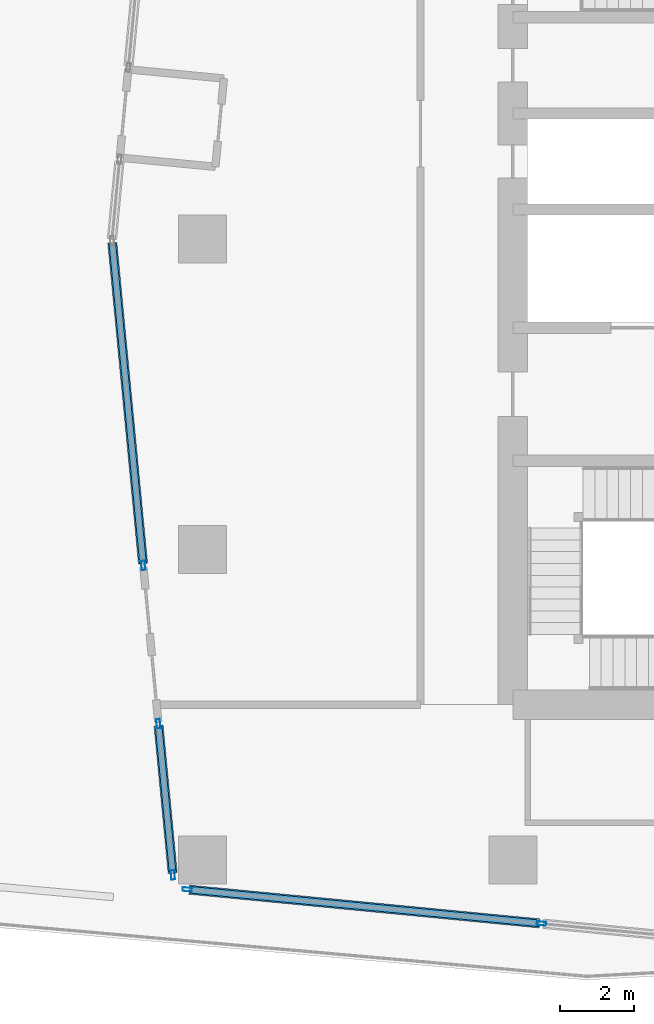
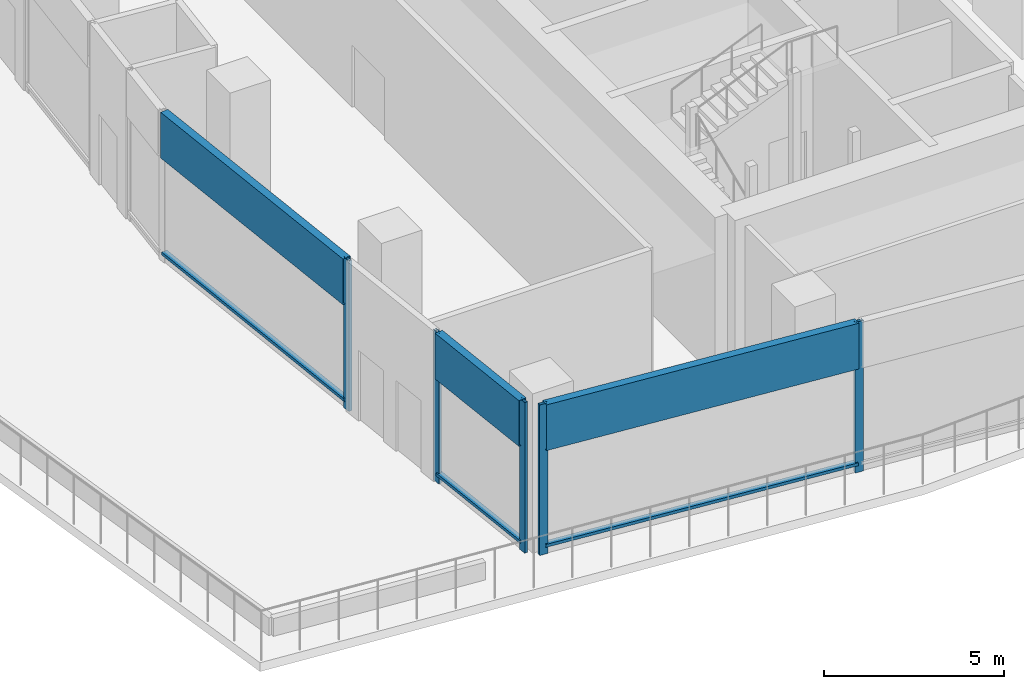
# One storey, part 2 of 22: 11 members, 3 elements without a shape of their own.
"""IFC4 building model written with IfcOpenShell, lengths in metres."""

from ifc_helpers import new_model, si_unit, direction, frame, origin, origin_2d, place, context, subcontext, project, spatial, hollow_rectangle, extrude, material, material_profile, profile_set, type_object, element, aggregate, save


model = new_model("IFC4")

# Units and contexts
model_context = context("Model", 3, precision=1e-05, world=origin(), true_north=direction((0.0, 1.0)))
body_context = subcontext(model_context, "Body", "Model", "MODEL_VIEW")
ifc_project = project(units=[si_unit("LENGTHUNIT", "METRE"), si_unit("AREAUNIT", "SQUARE_METRE"), si_unit("VOLUMEUNIT", "CUBIC_METRE"), si_unit("PLANEANGLEUNIT", "RADIAN"), si_unit("MASSUNIT", "GRAM", prefix="KILO")], contexts=[model_context])

# Site, building, storey
site_placement = place(None, origin())
site = spatial("IfcSite", under=ifc_project, at=site_placement, CompositionType="ELEMENT")
building_placement = place(site_placement, origin())
building = spatial("IfcBuilding", under=site, at=building_placement, Name="Rekha Terrace Tower", CompositionType="ELEMENT")
storey_placement = place(building_placement, frame((0.0, 0.0, 291.35009765625)))
storey = spatial("IfcBuildingStorey", under=building, at=storey_placement, Name="L74", CompositionType="ELEMENT", Elevation=291.35009765625)

# Curtain wall, members
ifc_material_1 = material(Name="Aluminium framing", Category="aluminium")
curtain_wall_type = type_object("IfcCurtainWallType", Name="CW6 observation glazing", PredefinedType="USERDEFINED", material=ifc_material_1)
curtain_wall_1_placement = place(storey_placement, origin())
curtain_wall_1 = element("IfcCurtainWall", 1, at=curtain_wall_1_placement, inside=storey, type_object=curtain_wall_type, Name="CW6 observation curtain wall", ObjectType="OBSERVATION CURTAIN WALL", PredefinedType="USERDEFINED")
ifc_material_2 = material(Name="Aluminium mullion section", Category="aluminium")
ifc_material_profile_1 = material_profile(ifc_material_2, hollow_rectangle(XDim=0.10009765625, YDim=0.25, WallThickness=0.00390625, at=origin_2d()), Name="AL RHS 100x250")
ifc_profile_set_1 = profile_set([ifc_material_profile_1], Name="Aluminium mullion section")
member_type_1 = type_object("IfcMemberType", Name="CW6 mullion RHS 100 x 250", PredefinedType="MULLION", material=ifc_profile_set_1)
member_1_placement = place(storey_placement, frame((16.39013671875, 15.9990234375, 0.0), z_axis=(0.0, 0.0, 1.0), x_axis=(0.095736409483, 0.995406720843, 0.0)))
member_1 = element("IfcMember", 2, at=member_1_placement, type_object=member_type_1, Name="CW6 mullion 1", PredefinedType="MULLION", context=body_context, shape_type="SweptSolid", body=[
    extrude(hollow_rectangle(XDim=0.10009765625, YDim=0.25, WallThickness=0.00390625, at=origin_2d()), origin(), (0.0, 0.0, 1.0), 5.099853515625),
])
member_2_placement = place(storey_placement, frame((25.9736328125, 15.0771484375, 0.0), z_axis=(0.0, 0.0, 1.0), x_axis=(0.095736409483, 0.995406720843, 0.0)))
member_2 = element("IfcMember", 3, at=member_2_placement, type_object=member_type_1, Name="CW6 mullion 2", PredefinedType="MULLION", context=body_context, shape_type="SweptSolid", body=[
    extrude(hollow_rectangle(XDim=0.10009765625, YDim=0.25, WallThickness=0.00390625, at=origin_2d()), origin(), (0.0, 0.0, 1.0), 5.099853515625),
])

# Curtain wall, member
curtain_wall_2_placement = place(storey_placement, origin())
curtain_wall_2 = element("IfcCurtainWall", 4, at=curtain_wall_2_placement, inside=storey, type_object=curtain_wall_type, Name="CW6 observation curtain wall", ObjectType="OBSERVATION CURTAIN WALL", PredefinedType="USERDEFINED")
member_3_placement = place(storey_placement, frame((15.197021484375, 24.766845703125, 0.0), z_axis=(0.0, 0.0, 1.0), x_axis=(0.995444921626, 0.095338386855, 0.0)))
member_3 = element("IfcMember", 5, at=member_3_placement, type_object=member_type_1, Name="CW6 mullion 2", PredefinedType="MULLION", context=body_context, shape_type="SweptSolid", body=[
    extrude(hollow_rectangle(XDim=0.10009765625, YDim=0.25, WallThickness=0.00390625, at=origin_2d()), origin(), (0.0, 0.0, 1.0), 5.099853515625),
])

# Curtain wall, members
curtain_wall_3_placement = place(storey_placement, origin())
curtain_wall_3 = element("IfcCurtainWall", 6, at=curtain_wall_3_placement, inside=storey, type_object=curtain_wall_type, Name="CW6 observation curtain wall", ObjectType="OBSERVATION CURTAIN WALL", PredefinedType="USERDEFINED")
member_4_placement = place(storey_placement, frame((15.60693359375, 20.486572265625, 0.0), z_axis=(0.0, 0.0, 1.0), x_axis=(0.995444921611, 0.095338387011, 0.0)))
member_4 = element("IfcMember", 7, at=member_4_placement, type_object=member_type_1, Name="CW6 mullion 1", PredefinedType="MULLION", context=body_context, shape_type="SweptSolid", body=[
    extrude(hollow_rectangle(XDim=0.10009765625, YDim=0.25, WallThickness=0.00390625, at=origin_2d()), origin(), (0.0, 0.0, 1.0), 5.099853515625),
])
member_5_placement = place(storey_placement, frame((15.9990234375, 16.39208984375, 0.0), z_axis=(0.0, 0.0, 1.0), x_axis=(0.995444921611, 0.095338387011, 0.0)))
member_5 = element("IfcMember", 8, at=member_5_placement, type_object=member_type_1, Name="CW6 mullion 2", PredefinedType="MULLION", context=body_context, shape_type="SweptSolid", body=[
    extrude(hollow_rectangle(XDim=0.10009765625, YDim=0.25, WallThickness=0.00390625, at=origin_2d()), origin(), (0.0, 0.0, 1.0), 5.099853515625),
])

# Member
ifc_material_3 = material(Name="Insulated aluminium spandrel box", Category="aluminium")
ifc_material_profile_2 = material_profile(ifc_material_3, hollow_rectangle(XDim=0.25, YDim=1.550048828125, WallThickness=0.0029296875, at=origin_2d()), Name="AL SPANDREL BOX 250x1550")
ifc_profile_set_2 = profile_set([ifc_material_profile_2], Name="Insulated aluminium spandrel box")
member_type_2 = type_object("IfcMemberType", Name="CW6 spandrel transom 250 x 1550", PredefinedType="USERDEFINED", material=ifc_profile_set_2)
member_6_placement = place(storey_placement, frame((16.43994140625, 15.994140625, 4.324951171875), z_axis=(0.995407057056, -0.095732913689, 0.0), x_axis=(0.095732913689, 0.995407057056, 0.0)))
member_6 = element("IfcMember", 9, at=member_6_placement, type_object=member_type_2, Name="CW6 spandrel transom 1", ObjectType="TRANSOM", PredefinedType="USERDEFINED", context=body_context, shape_type="SweptSolid", body=[
    extrude(hollow_rectangle(XDim=0.25, YDim=1.550048828125, WallThickness=0.0029296875, at=origin_2d()), origin(), (0.0, 0.0, 1.0), 9.527587890625),
])

member_7_placement = place(storey_placement, frame((14.3603515625, 33.50048828125, 4.324951171875), z_axis=(0.095349245259, -0.995443881607, 0.0), x_axis=(0.995443881607, 0.095349245259, 0.0)))
member_7 = element("IfcMember", 10, at=member_7_placement, type_object=member_type_2, Name="CW6 spandrel transom 1", ObjectType="TRANSOM", PredefinedType="USERDEFINED", context=body_context, shape_type="SweptSolid", body=[
    extrude(hollow_rectangle(XDim=0.25, YDim=1.550048828125, WallThickness=0.0029296875, at=origin_2d()), origin(), (0.0, 0.0, 1.0), 8.7236328125),
])

member_8_placement = place(storey_placement, frame((15.611572265625, 20.436767578125, 4.324951171875), z_axis=(0.09532870774, -0.995445848593, 0.0), x_axis=(0.995445848593, 0.09532870774, 0.0)))
member_8 = element("IfcMember", 11, at=member_8_placement, type_object=member_type_2, Name="CW6 spandrel transom 1", ObjectType="TRANSOM", PredefinedType="USERDEFINED", context=body_context, shape_type="SweptSolid", body=[
    extrude(hollow_rectangle(XDim=0.25, YDim=1.550048828125, WallThickness=0.0029296875, at=origin_2d()), origin(), (0.0, 0.0, 1.0), 4.01318359375),
])

ifc_material_4 = material(Name="Aluminium transom section", Category="aluminium")
ifc_material_profile_3 = material_profile(ifc_material_4, hollow_rectangle(XDim=0.179931640625, YDim=0.10009765625, WallThickness=0.0029296875, at=origin_2d()), Name="AL RHS 180x100")
ifc_profile_set_3 = profile_set([ifc_material_profile_3], Name="Aluminium transom section")
member_type_3 = type_object("IfcMemberType", Name="CW6 transom RHS 100 x 180", PredefinedType="USERDEFINED", material=ifc_profile_set_3)
member_9_placement = place(storey_placement, frame((16.43994140625, 15.994140625, 0.2998046875), z_axis=(0.995407057056, -0.095732913689, 0.0), x_axis=(0.095732913689, 0.995407057056, 0.0)))
member_9 = element("IfcMember", 12, at=member_9_placement, type_object=member_type_3, Name="CW6 transom 1.2", ObjectType="TRANSOM", PredefinedType="USERDEFINED", context=body_context, shape_type="SweptSolid", body=[
    extrude(hollow_rectangle(XDim=0.179931640625, YDim=0.10009765625, WallThickness=0.0029296875, at=origin_2d()), origin(), (0.0, 0.0, 1.0), 9.527587890625),
])

aggregate(curtain_wall_1, [member_1, member_2, member_9, member_6])

member_10_placement = place(storey_placement, frame((14.3603515625, 33.50048828125, 0.2998046875), z_axis=(0.095349245259, -0.995443881607, 0.0), x_axis=(0.995443881607, 0.095349245259, 0.0)))
member_10 = element("IfcMember", 13, at=member_10_placement, type_object=member_type_3, Name="CW6 transom 1.2", ObjectType="TRANSOM", PredefinedType="USERDEFINED", context=body_context, shape_type="SweptSolid", body=[
    extrude(hollow_rectangle(XDim=0.179931640625, YDim=0.10009765625, WallThickness=0.0029296875, at=origin_2d()), origin(), (0.0, 0.0, 1.0), 8.7236328125),
])

aggregate(curtain_wall_2, [member_3, member_10, member_7])

member_11_placement = place(storey_placement, frame((15.611572265625, 20.436767578125, 0.2998046875), z_axis=(0.09532870774, -0.995445848593, 0.0), x_axis=(0.995445848593, 0.09532870774, 0.0)))
member_11 = element("IfcMember", 14, at=member_11_placement, type_object=member_type_3, Name="CW6 transom 1.2", ObjectType="TRANSOM", PredefinedType="USERDEFINED", context=body_context, shape_type="SweptSolid", body=[
    extrude(hollow_rectangle(XDim=0.179931640625, YDim=0.10009765625, WallThickness=0.0029296875, at=origin_2d()), origin(), (0.0, 0.0, 1.0), 4.01318359375),
])

aggregate(curtain_wall_3, [member_4, member_5, member_11, member_8])

save(model, "model.ifc")
